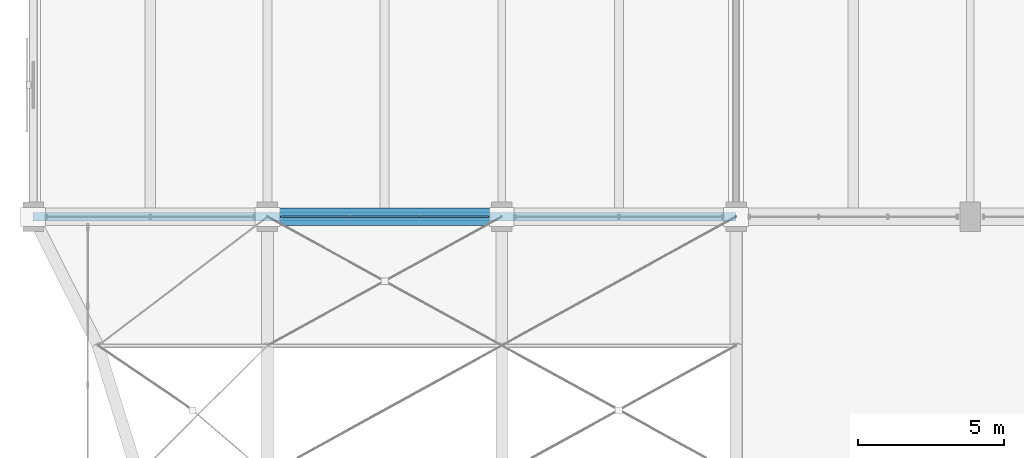
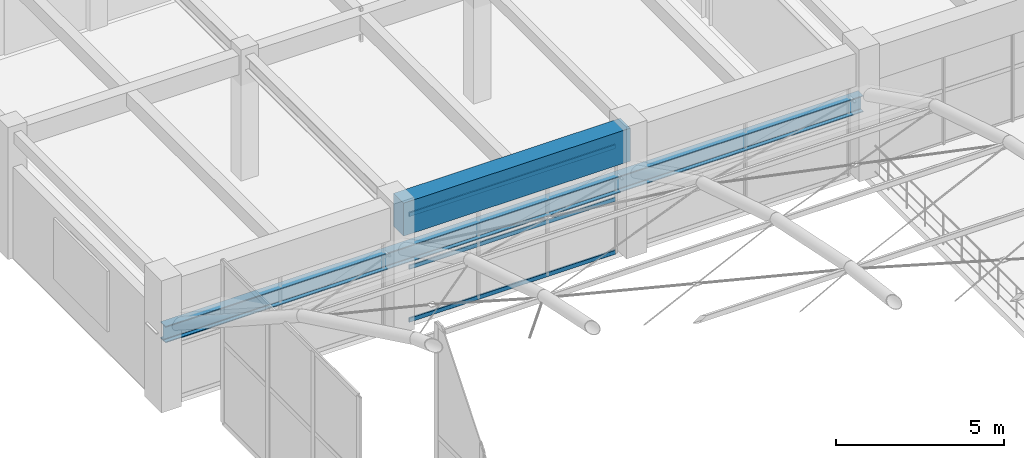
# One storey, part 35 of 144: 3 members, 2 beams, 1 element without a shape of its own.
"""IFC4 building model written with IfcOpenShell, lengths in metres."""

from ifc_helpers import new_model, si_unit, direction, frame, origin, origin_2d, place, context, subcontext, project, spatial, rectangle, hollow_rectangle, i_section, extrude, material, material_profile, profile_set, type_object, element, aggregate, save


model = new_model("IFC4")

# Units and contexts
model_context = context("Model", 3, precision=1e-05, world=origin(), true_north=direction((0.0, 1.0)))
body_context = subcontext(model_context, "Body", "Model", "MODEL_VIEW")
ifc_project = project(units=[si_unit("LENGTHUNIT", "METRE"), si_unit("AREAUNIT", "SQUARE_METRE"), si_unit("VOLUMEUNIT", "CUBIC_METRE"), si_unit("PLANEANGLEUNIT", "RADIAN"), si_unit("MASSUNIT", "GRAM", prefix="KILO")], contexts=[model_context])

# Site, building, storey
site_placement = place(None, origin())
site = spatial("IfcSite", under=ifc_project, at=site_placement, CompositionType="ELEMENT")
building_placement = place(site_placement, origin())
building = spatial("IfcBuilding", under=site, at=building_placement, Name="Varnabhumi Central Station", CompositionType="ELEMENT")
storey_placement = place(building_placement, frame((0.0, 0.0, 4.800048828125)))
storey = spatial("IfcBuildingStorey", under=building, at=storey_placement, Name="L01", CompositionType="ELEMENT", Elevation=4.800048828125)

# Beams
ifc_material_1 = material(Name="Concrete M50", Category="concrete")
ifc_material_profile_1 = material_profile(ifc_material_1, rectangle(XDim=0.60009765625, YDim=1.199951171875, at=origin_2d()), Name="Concrete M50", Category="concrete")
ifc_profile_set_1 = profile_set([ifc_material_profile_1], Name="Concrete M50")
beam_type_1 = type_object("IfcBeamType", Name="BM-RC-1200x600", PredefinedType="BEAM", material=ifc_profile_set_1)
beam_1_placement = place(storey_placement, frame((8.10009765625, 80.0, 3.949951171875), z_axis=(1.0, 0.0, 0.0), x_axis=(0.0, 1.0, 0.0)))
element("IfcBeam", 1, at=beam_1_placement, inside=storey, type_object=beam_type_1, Name="Beam L01-K:2-3", PredefinedType="BEAM", context=body_context, shape_type="SweptSolid", body=[
    extrude(rectangle(XDim=0.60009765625, YDim=1.199951171875, at=origin_2d()), origin(), (0.0, 0.0, 1.0), 7.7998046875),
])
ifc_material_2 = material(Name="Structural steel E350", Category="steel")
ifc_material_profile_2 = material_profile(ifc_material_2, i_section(OverallWidth=0.300048828125, OverallDepth=0.60009765625, WebThickness=0.015380859375, FlangeThickness=0.030029296875, FilletRadius=0.027099609375, at=origin_2d()), Name="Structural steel E350", Category="steel")
ifc_profile_set_2 = profile_set([ifc_material_profile_2], Name="Structural steel E350")
beam_type_2 = type_object("IfcBeamType", Name="BM-RING-WPB600", PredefinedType="BEAM", material=ifc_profile_set_2)
beam_2_placement = place(storey_placement, frame((0.0, 80.0, 2.510009765625), z_axis=(1.0, 0.0, 0.0), x_axis=(0.0, 1.0, 0.0)))
element("IfcBeam", 2, at=beam_2_placement, inside=storey, type_object=beam_type_2, Name="Forecourt Arrival Canopy Vault Compression Ring Beam N", PredefinedType="BEAM", context=body_context, shape_type="SweptSolid", body=[
    extrude(i_section(OverallWidth=0.300048828125, OverallDepth=0.60009765625, WebThickness=0.015380859375, FlangeThickness=0.030029296875, FilletRadius=0.027099609375, at=origin_2d()), origin(), (0.0, 0.0, 1.0), 24.0),
])

# Curtain wall, members
ifc_material_3 = material(Name="Anodised aluminium 6063-T6", Category="aluminium")
curtain_wall_type = type_object("IfcCurtainWallType", Name="CW-STREET-PORTAL", PredefinedType="NOTDEFINED", material=ifc_material_3)
curtain_wall_placement = place(storey_placement, origin())
curtain_wall = element("IfcCurtainWall", 3, at=curtain_wall_placement, inside=storey, type_object=curtain_wall_type, Name="Curtain Wall CW-NSP101", PredefinedType="NOTDEFINED")
ifc_material_profile_3 = material_profile(ifc_material_3, hollow_rectangle(XDim=0.06005859375, YDim=0.14990234375, WallThickness=0.00390625, InnerFilletRadius=0.001953125, OuterFilletRadius=0.006103515625, at=origin_2d()), Name="Anodised aluminium 6063-T6", Category="aluminium")
ifc_profile_set_3 = profile_set([ifc_material_profile_3], Name="Anodised aluminium 6063-T6")
member_type = type_object("IfcMemberType", Name="CW-TR-150", PredefinedType="USERDEFINED", material=ifc_profile_set_3)
member_1_placement = place(storey_placement, frame((8.449951171875, 80.0, 0.0), z_axis=(1.0, 0.0, 0.0), x_axis=(0.0, 1.0, 0.0)))
member_1 = element("IfcMember", 4, at=member_1_placement, type_object=member_type, Name="Curtain Wall Transom CW-NSP101-T1", ObjectType="TRANSOM", PredefinedType="USERDEFINED", context=body_context, shape_type="SweptSolid", body=[
    extrude(hollow_rectangle(XDim=0.06005859375, YDim=0.14990234375, WallThickness=0.00390625, InnerFilletRadius=0.001953125, OuterFilletRadius=0.006103515625, at=origin_2d()), origin(), (0.0, 0.0, 1.0), 7.10009765625),
])
member_2_placement = place(storey_placement, frame((8.449951171875, 80.0, 1.919921875), z_axis=(1.0, 0.0, 0.0), x_axis=(0.0, 1.0, 0.0)))
member_2 = element("IfcMember", 5, at=member_2_placement, type_object=member_type, Name="Curtain Wall Transom CW-NSP101-T2", ObjectType="TRANSOM", PredefinedType="USERDEFINED", context=body_context, shape_type="SweptSolid", body=[
    extrude(hollow_rectangle(XDim=0.06005859375, YDim=0.14990234375, WallThickness=0.00390625, InnerFilletRadius=0.001953125, OuterFilletRadius=0.006103515625, at=origin_2d()), origin(), (0.0, 0.0, 1.0), 7.10009765625),
])
member_3_placement = place(storey_placement, frame((8.449951171875, 80.0, 3.83984375), z_axis=(1.0, 0.0, 0.0), x_axis=(0.0, 1.0, 0.0)))
member_3 = element("IfcMember", 6, at=member_3_placement, type_object=member_type, Name="Curtain Wall Transom CW-NSP101-T3", ObjectType="TRANSOM", PredefinedType="USERDEFINED", context=body_context, shape_type="SweptSolid", body=[
    extrude(hollow_rectangle(XDim=0.06005859375, YDim=0.14990234375, WallThickness=0.00390625, InnerFilletRadius=0.001953125, OuterFilletRadius=0.006103515625, at=origin_2d()), origin(), (0.0, 0.0, 1.0), 7.10009765625),
])
aggregate(curtain_wall, [member_1, member_2, member_3])

save(model, "model.ifc")
